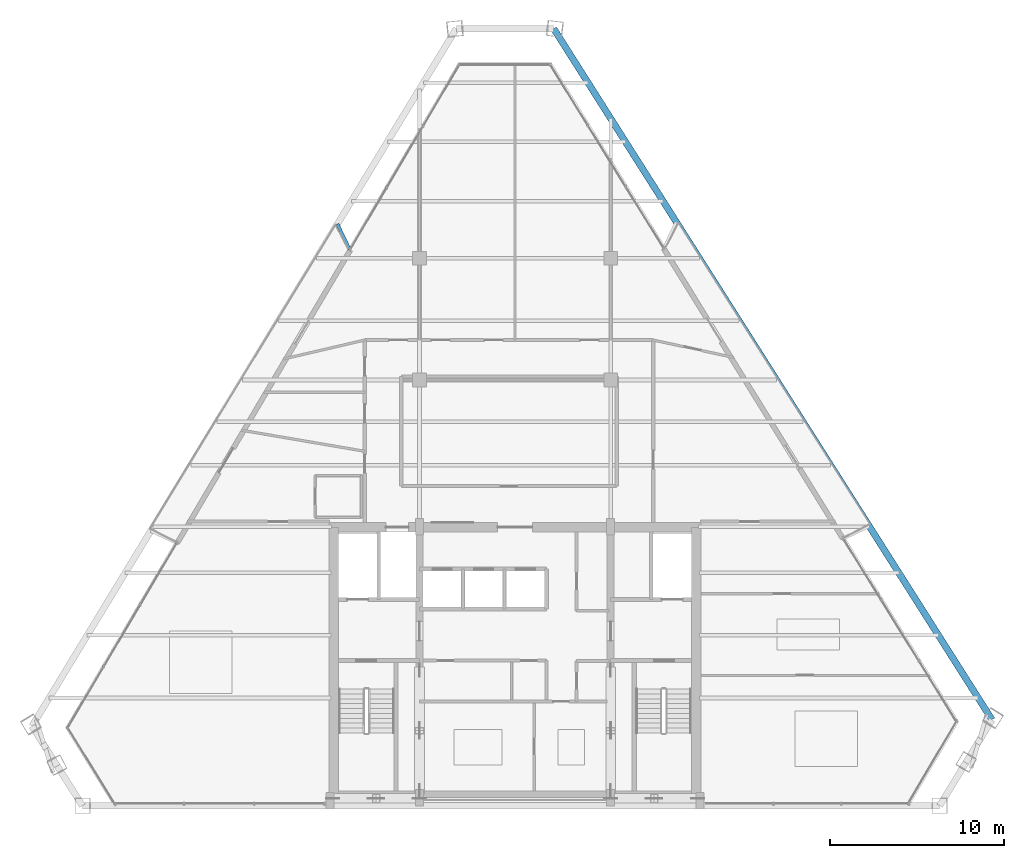
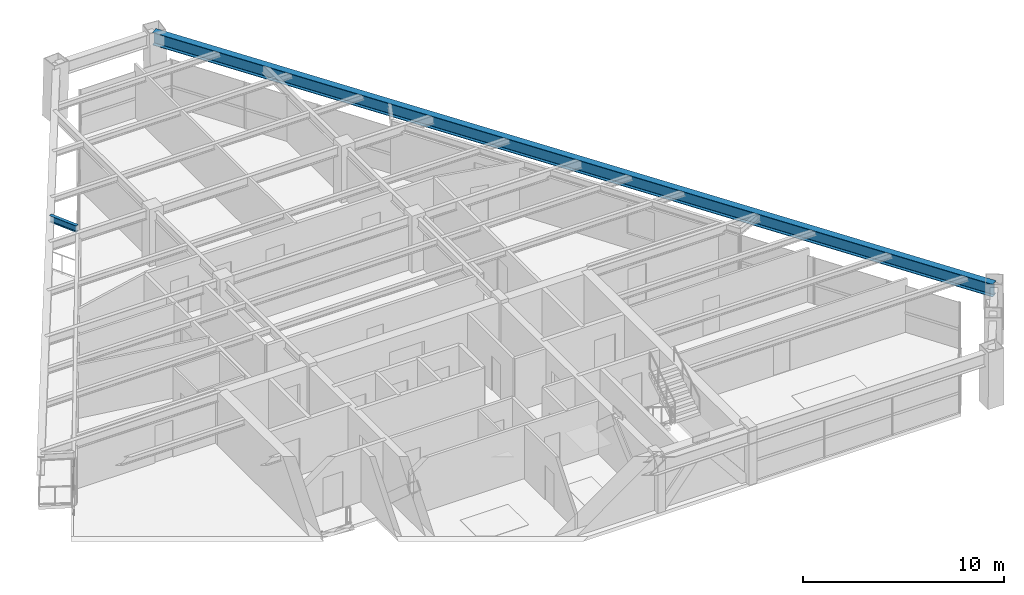
# One storey, part 6 of 13: 2 beams.
"""IFC4 building model written with IfcOpenShell, lengths in metres."""

import ifcopenshell
import ifcopenshell.guid

model = None  # the IFC model being written
_history = None  # IfcOwnerHistory: only IFC2X3 demands one
_inside = {}  # id of a spatial element -> (the spatial element, [elements in it])
_under = {}  # id of a project, library or spatial element -> (it, [spatial elements below it])
_declared = {}  # id of a project -> (the project, [libraries it declares])
_typed = {}  # id of a type object -> (the type object, [elements of that type])
_made_of = {}  # id of a material, layer set ... -> (it, [elements and type objects made of it])


def new_model(schema):
    """Start an empty IFC model of exactly this schema.

    Asked for "IFC4X3", IfcOpenShell would pick the latest addendum, in which some entities
    have other attributes; the version numbers below select the first issue.
    IFC2X3 requires an IfcOwnerHistory on every rooted entity: one is made here for all.
    """
    global model, _history
    if schema == "IFC4X3":
        model = ifcopenshell.file(schema_version=(4, 3, 0, 0))
    else:
        model = ifcopenshell.file(schema=schema)
    _inside.clear()
    _under.clear()
    _declared.clear()
    _typed.clear()
    _made_of.clear()
    _history = None
    if model.schema == "IFC2X3":
        org = make("IfcOrganization", Name="unknown")
        user = make(
            "IfcPersonAndOrganization",
            ThePerson=make("IfcPerson", FamilyName="unknown"),
            TheOrganization=org,
        )
        app = make(
            "IfcApplication",
            ApplicationDeveloper=org,
            Version="unknown",
            ApplicationFullName="unknown",
            ApplicationIdentifier="unknown",
        )
        _history = make(
            "IfcOwnerHistory",
            OwningUser=user,
            OwningApplication=app,
            ChangeAction="ADDED",
            CreationDate=0,
        )
    return model


def make(cls, **values):
    """One entity of the class cls with the attributes given. An attribute that is None is left unset."""
    return model.create_entity(
        cls, **{name: value for name, value in values.items() if value is not None}
    )


def rooted(cls, **values):
    """An entity with a GlobalId (a new one), such as an element, a storey or a relation."""
    return make(cls, GlobalId=ifcopenshell.guid.new(), OwnerHistory=_history, **values)


def si_unit(unit_type, name, prefix=None):
    """IfcSIUnit, for example si_unit("LENGTHUNIT", "METRE", prefix="MILLI")."""
    return make("IfcSIUnit", UnitType=unit_type, Prefix=prefix, Name=name)


def assignment(units):
    """IfcUnitAssignment: the units of a project."""
    return None if units is None else make("IfcUnitAssignment", Units=units)


def point(xyz):
    """IfcCartesianPoint."""
    return None if xyz is None else make("IfcCartesianPoint", Coordinates=xyz)


def direction(xyz):
    """IfcDirection."""
    return None if xyz is None else make("IfcDirection", DirectionRatios=xyz)


def frame(location, z_axis=None, x_axis=None):
    """IfcAxis2Placement3D, a coordinate frame: its origin and axes. An axis left out is left unset."""
    return make(
        "IfcAxis2Placement3D",
        Location=point(location),
        Axis=direction(z_axis),
        RefDirection=direction(x_axis),
    )


def frame_2d(location, x_axis=None):
    """IfcAxis2Placement2D, a coordinate frame in the plane: its origin and x axis."""
    return make(
        "IfcAxis2Placement2D", Location=point(location), RefDirection=direction(x_axis)
    )


def origin():
    """The frame at (0, 0, 0) with its axes left unset."""
    return frame((0.0, 0.0, 0.0))


def origin_2d():
    """The frame at (0, 0) in the plane with its x axis left unset."""
    return frame_2d((0.0, 0.0))


def place(relative_to, where):
    """IfcLocalPlacement: puts the frame where relative to a parent placement (None: the world)."""
    return make(
        "IfcLocalPlacement", PlacementRelTo=relative_to, RelativePlacement=where
    )


def context(
    kind, dimensions, precision=None, world=None, true_north=None, identifier=None
):
    """IfcGeometricRepresentationContext, for example the 3D "Model" context."""
    return make(
        "IfcGeometricRepresentationContext",
        ContextIdentifier=identifier,
        ContextType=kind,
        CoordinateSpaceDimension=dimensions,
        Precision=precision,
        WorldCoordinateSystem=world,
        TrueNorth=true_north,
    )


def subcontext(parent, identifier, kind, view, scale=None):
    """IfcGeometricRepresentationSubContext, for example "Body" below "Model"."""
    return make(
        "IfcGeometricRepresentationSubContext",
        ContextIdentifier=identifier,
        ContextType=kind,
        ParentContext=parent,
        TargetScale=scale,
        TargetView=view,
    )


def project(units=None, contexts=None):
    """IfcProject with its units and contexts."""
    return rooted(
        "IfcProject",
        Name="project",
        RepresentationContexts=contexts,
        UnitsInContext=assignment(units),
    )


def spatial(cls, under=None, at=None, **own):
    """A site, building, storey or space (cls), placed at a placement, below another one or the project."""
    s = rooted(cls, ObjectPlacement=at, **own)
    if under is not None:
        _under.setdefault(under.id(), (under, []))[1].append(s)
    return s


def profile(cls, at=None, kind="AREA", **sizes):
    """A parametric profile (cls). Its sizes go by their IFC names, for example OverallWidth=200.0."""
    return make(cls, ProfileType=kind, Position=at, **sizes)


def i_section(**sizes):
    """IfcIShapeProfileDef."""
    return profile("IfcIShapeProfileDef", **sizes)


def extrude(swept, where, along, depth):
    """IfcExtrudedAreaSolid: the profile swept, set in the frame where, extruded along a direction by depth."""
    return make(
        "IfcExtrudedAreaSolid",
        SweptArea=swept,
        Position=where,
        ExtrudedDirection=direction(along),
        Depth=depth,
    )


def shape(context_of_items, identifier, shape_type, items):
    """IfcShapeRepresentation: the items that make up one representation, for example the "Body"."""
    return make(
        "IfcShapeRepresentation",
        ContextOfItems=context_of_items,
        RepresentationIdentifier=identifier,
        RepresentationType=shape_type,
        Items=items,
    )


def source(mapping_origin, context_of_items, identifier, shape_type, items):
    """IfcRepresentationMap: a shape defined once, which mapped items show again and again."""
    return make(
        "IfcRepresentationMap",
        MappingOrigin=mapping_origin,
        MappedRepresentation=shape(context_of_items, identifier, shape_type, items),
    )


def transform(
    local_origin,
    x_axis=None,
    y_axis=None,
    z_axis=None,
    scale=None,
    scale2=None,
    scale3=None,
    uniform=True,
):
    """IfcCartesianTransformationOperator3D, or its non-uniform kind. x_axis, y_axis, z_axis: its Axis1, 2, 3."""
    if uniform:
        return make(
            "IfcCartesianTransformationOperator3D",
            Axis1=direction(x_axis),
            Axis2=direction(y_axis),
            LocalOrigin=point(local_origin),
            Scale=scale,
            Axis3=direction(z_axis),
        )
    return make(
        "IfcCartesianTransformationOperator3DnonUniform",
        Axis1=direction(x_axis),
        Axis2=direction(y_axis),
        LocalOrigin=point(local_origin),
        Scale=scale,
        Axis3=direction(z_axis),
        Scale2=scale2,
        Scale3=scale3,
    )


def mapped(mapping_source, mapping_target):
    """IfcMappedItem: shows the shape of a source again, moved by a transform."""
    return make(
        "IfcMappedItem", MappingSource=mapping_source, MappingTarget=mapping_target
    )


def material(Name=None, Category=None):
    """IfcMaterial."""
    return make("IfcMaterial", Name=Name, Category=Category)


def material_profile(
    of_material, cross_section, Name=None, Category=None, Priority=None
):
    """IfcMaterialProfile: a cross section and its material."""
    return make(
        "IfcMaterialProfile",
        Name=Name,
        Material=of_material,
        Profile=cross_section,
        Priority=Priority,
        Category=Category,
    )


def profile_set(profiles, Name=None, composite=None):
    """IfcMaterialProfileSet."""
    return make(
        "IfcMaterialProfileSet",
        Name=Name,
        MaterialProfiles=profiles,
        CompositeProfile=composite,
    )


def made_of(thing, what):
    """Note that an element or type object is made of a material, layer set ...; save() writes the relation."""
    if what is not None:
        _made_of.setdefault(what.id(), (what, []))[1].append(thing)
    return thing


def type_object(cls, material=None, **own):
    """A type object (cls), such as IfcWallType, which elements share."""
    return made_of(rooted(cls, **own), material)


def element(
    cls,
    number,
    at=None,
    inside=None,
    cuts=None,
    type_object=None,
    material=None,
    context=None,
    identifier="Body",
    shape_type=None,
    held_by="IfcProductDefinitionShape",
    body=None,
    shapes=None,
    **own,
):
    """One element of the class cls, such as IfcWall. Its Tag is "e" and its number.

    at: its placement. inside: the storey or other place that contains it. cuts: it is an
    opening in that element (IfcRelVoidsElement). A single representation is given by context,
    identifier, shape_type and body (its items); several are given by shapes. held_by: the class
    of the entity that holds the representations. save() writes the other relations.
    """
    e = rooted(cls, Tag="e%d" % number, ObjectPlacement=at, **own)
    if body is not None:
        shapes = [shape(context, identifier, shape_type, body)]
    if shapes is not None:
        e.Representation = make(held_by, Representations=shapes)
    if inside is not None:
        _inside.setdefault(inside.id(), (inside, []))[1].append(e)
    if cuts is not None:
        rooted(
            "IfcRelVoidsElement", RelatingBuildingElement=cuts, RelatedOpeningElement=e
        )
    if type_object is not None:
        _typed.setdefault(type_object.id(), (type_object, []))[1].append(e)
    return made_of(e, material)


def aggregate(whole, parts):
    """IfcRelAggregates: a whole, such as a stair, and the parts it consists of."""
    return rooted("IfcRelAggregates", RelatingObject=whole, RelatedObjects=parts)


def save(model, path):
    """Write the relations noted so far, then the file.

    IfcRelAggregates (storeys below a building ...), IfcRelContainedInSpatialStructure (elements
    in a storey), IfcRelDefinesByType, IfcRelAssociatesMaterial and IfcRelDeclares: one each for
    every whole, place, type object, material and project.
    """
    for whole, parts in _under.values():
        aggregate(whole, parts)
    for where, things in _inside.values():
        rooted(
            "IfcRelContainedInSpatialStructure",
            RelatedElements=things,
            RelatingStructure=where,
        )
    for kind, things in _typed.values():
        rooted("IfcRelDefinesByType", RelatedObjects=things, RelatingType=kind)
    for what, things in _made_of.values():
        rooted("IfcRelAssociatesMaterial", RelatedObjects=things, RelatingMaterial=what)
    for by, libraries in _declared.values():
        rooted("IfcRelDeclares", RelatingContext=by, RelatedDefinitions=libraries)
    model.write(path)


model = new_model("IFC4")

# Units and contexts
model_context = context("Model", 3, precision=1e-05, world=origin(), true_north=direction((0.0, 1.0)))
body_context = subcontext(model_context, "Body", "Model", "MODEL_VIEW")
ifc_project = project(units=[si_unit("LENGTHUNIT", "METRE"), si_unit("AREAUNIT", "SQUARE_METRE"), si_unit("VOLUMEUNIT", "CUBIC_METRE"), si_unit("PLANEANGLEUNIT", "RADIAN"), si_unit("MASSUNIT", "GRAM", prefix="KILO")], contexts=[model_context])

# Site, building, storey
site_placement = place(None, origin())
site = spatial("IfcSite", under=ifc_project, at=site_placement, CompositionType="ELEMENT")
building_placement = place(site_placement, origin())
building = spatial("IfcBuilding", under=site, at=building_placement, Name="Varnakhor Terracotta Tower", CompositionType="ELEMENT")
storey_placement = place(building_placement, frame((0.0, 0.0, 237.25)))
storey = spatial("IfcBuildingStorey", under=building, at=storey_placement, Name="L61", CompositionType="ELEMENT", Elevation=237.25)

# Beams
ifc_material = material(Name="Steel S355", Category="steel")
ifc_material_profile_1 = material_profile(ifc_material, i_section(OverallWidth=0.381103515625, OverallDepth=0.77294921875, WebThickness=0.01708984375, FlangeThickness=0.027099609375, FilletRadius=0.01806640625, at=origin_2d()), Name="W30X173")
ifc_profile_set_1 = profile_set([ifc_material_profile_1], Name="Steel S355")
beam_type_1 = type_object("IfcBeamType", Name="BM-W30X173", PredefinedType="BEAM", material=ifc_profile_set_1)
shared_shape_1 = source(origin(), body_context, "Body", "SweptSolid", [
    extrude(i_section(OverallWidth=0.381103515625, OverallDepth=0.77294921875, WebThickness=0.01708984375, FlangeThickness=0.027099609375, FilletRadius=0.01806640625, at=origin_2d()), origin(), (0.0, 0.0, 1.0), 47.09326171875),
])
beam_1_placement = place(storey_placement, frame((27.44580078125, 4.9501953125, 2.853515625), z_axis=(-0.535563577972, 0.844494910553, 0.0), x_axis=(-0.844494910553, -0.535563577972, 0.0)))
element("IfcBeam", 1, at=beam_1_placement, inside=storey, type_object=beam_type_1, Name="L61 Perimeter Spandrel 4", PredefinedType="BEAM", context=body_context, shape_type="MappedRepresentation", body=[
    mapped(shared_shape_1, transform((0.0, 0.0, 0.0), scale=1.0)),
])
ifc_material_profile_2 = material_profile(ifc_material, i_section(OverallWidth=0.179931640625, OverallDepth=0.39990234375, WebThickness=0.008544921875, FlangeThickness=0.013427734375, FilletRadius=0.01806640625, at=origin_2d()), Name="IPE400")
ifc_profile_set_2 = profile_set([ifc_material_profile_2], Name="Steel S355")
beam_type_2 = type_object("IfcBeamType", Name="JST-IPE400", PredefinedType="JOIST", material=ifc_profile_set_2)
shared_shape_2 = source(origin(), body_context, "Body", "SweptSolid", [
    extrude(i_section(OverallWidth=0.179931640625, OverallDepth=0.39990234375, WebThickness=0.008544921875, FlangeThickness=0.013427734375, FilletRadius=0.01806640625, at=origin_2d()), origin(), (0.0, 0.0, 1.0), 1.622802734375),
])
beam_2_placement = place(storey_placement, frame((-9.51611328125, 32.0185546875, 3.0400390625), z_axis=(-0.433743241221, 0.901036514629, 0.0), x_axis=(-0.901036514629, -0.433743241221, 0.0)))
element("IfcBeam", 2, at=beam_2_placement, inside=storey, type_object=beam_type_2, Name="L62 W Loggia Tie Beam 2", PredefinedType="JOIST", context=body_context, shape_type="MappedRepresentation", body=[
    mapped(shared_shape_2, transform((0.0, 0.0, 0.0), scale=1.0)),
])

save(model, "model.ifc")
